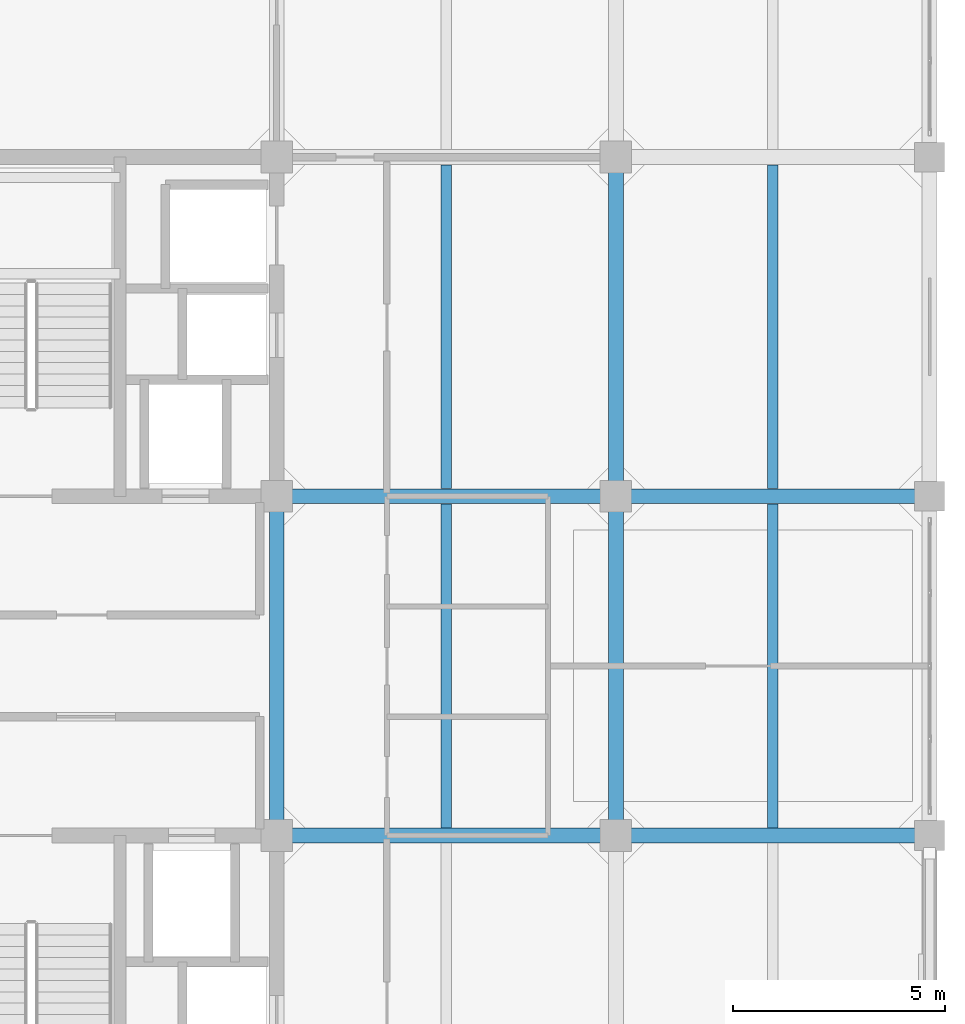
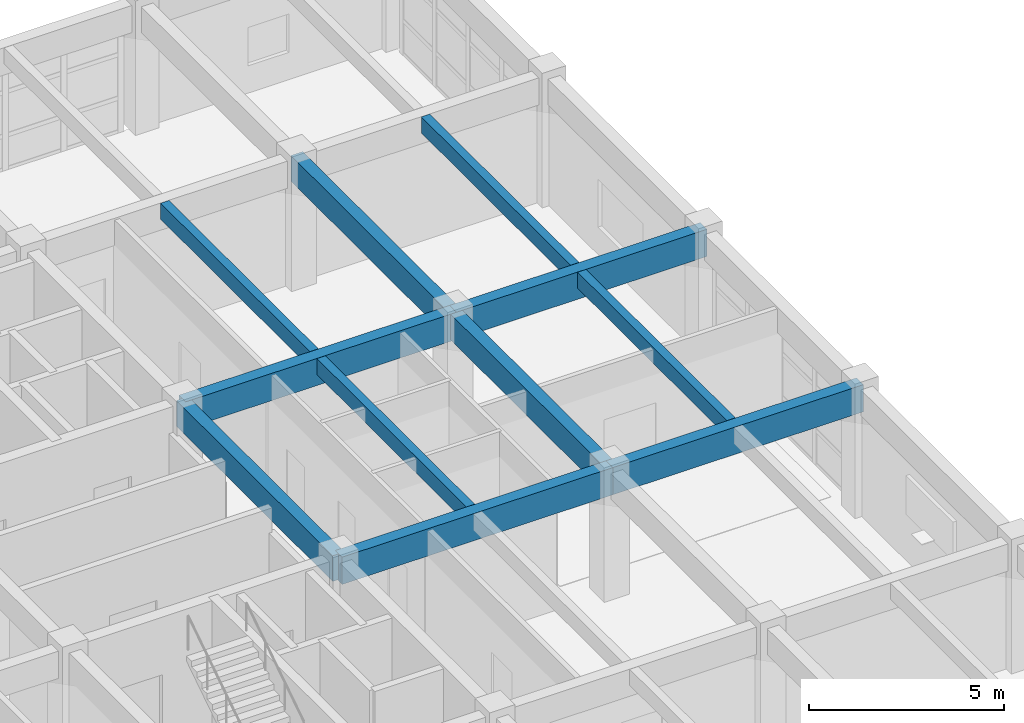
# One storey, part 8 of 25: 11 beams.
"""IFC4 building model written with IfcOpenShell, lengths in metres."""

import ifcopenshell
import ifcopenshell.guid

model = None  # the IFC model being written
_history = None  # IfcOwnerHistory: only IFC2X3 demands one
_inside = {}  # id of a spatial element -> (the spatial element, [elements in it])
_under = {}  # id of a project, library or spatial element -> (it, [spatial elements below it])
_declared = {}  # id of a project -> (the project, [libraries it declares])
_typed = {}  # id of a type object -> (the type object, [elements of that type])
_made_of = {}  # id of a material, layer set ... -> (it, [elements and type objects made of it])


def new_model(schema):
    """Start an empty IFC model of exactly this schema.

    Asked for "IFC4X3", IfcOpenShell would pick the latest addendum, in which some entities
    have other attributes; the version numbers below select the first issue.
    IFC2X3 requires an IfcOwnerHistory on every rooted entity: one is made here for all.
    """
    global model, _history
    if schema == "IFC4X3":
        model = ifcopenshell.file(schema_version=(4, 3, 0, 0))
    else:
        model = ifcopenshell.file(schema=schema)
    _inside.clear()
    _under.clear()
    _declared.clear()
    _typed.clear()
    _made_of.clear()
    _history = None
    if model.schema == "IFC2X3":
        org = make("IfcOrganization", Name="unknown")
        user = make(
            "IfcPersonAndOrganization",
            ThePerson=make("IfcPerson", FamilyName="unknown"),
            TheOrganization=org,
        )
        app = make(
            "IfcApplication",
            ApplicationDeveloper=org,
            Version="unknown",
            ApplicationFullName="unknown",
            ApplicationIdentifier="unknown",
        )
        _history = make(
            "IfcOwnerHistory",
            OwningUser=user,
            OwningApplication=app,
            ChangeAction="ADDED",
            CreationDate=0,
        )
    return model


def make(cls, **values):
    """One entity of the class cls with the attributes given. An attribute that is None is left unset."""
    return model.create_entity(
        cls, **{name: value for name, value in values.items() if value is not None}
    )


def rooted(cls, **values):
    """An entity with a GlobalId (a new one), such as an element, a storey or a relation."""
    return make(cls, GlobalId=ifcopenshell.guid.new(), OwnerHistory=_history, **values)


def si_unit(unit_type, name, prefix=None):
    """IfcSIUnit, for example si_unit("LENGTHUNIT", "METRE", prefix="MILLI")."""
    return make("IfcSIUnit", UnitType=unit_type, Prefix=prefix, Name=name)


def assignment(units):
    """IfcUnitAssignment: the units of a project."""
    return None if units is None else make("IfcUnitAssignment", Units=units)


def point(xyz):
    """IfcCartesianPoint."""
    return None if xyz is None else make("IfcCartesianPoint", Coordinates=xyz)


def direction(xyz):
    """IfcDirection."""
    return None if xyz is None else make("IfcDirection", DirectionRatios=xyz)


def frame(location, z_axis=None, x_axis=None):
    """IfcAxis2Placement3D, a coordinate frame: its origin and axes. An axis left out is left unset."""
    return make(
        "IfcAxis2Placement3D",
        Location=point(location),
        Axis=direction(z_axis),
        RefDirection=direction(x_axis),
    )


def frame_2d(location, x_axis=None):
    """IfcAxis2Placement2D, a coordinate frame in the plane: its origin and x axis."""
    return make(
        "IfcAxis2Placement2D", Location=point(location), RefDirection=direction(x_axis)
    )


def origin():
    """The frame at (0, 0, 0) with its axes left unset."""
    return frame((0.0, 0.0, 0.0))


def origin_2d():
    """The frame at (0, 0) in the plane with its x axis left unset."""
    return frame_2d((0.0, 0.0))


def place(relative_to, where):
    """IfcLocalPlacement: puts the frame where relative to a parent placement (None: the world)."""
    return make(
        "IfcLocalPlacement", PlacementRelTo=relative_to, RelativePlacement=where
    )


def context(
    kind, dimensions, precision=None, world=None, true_north=None, identifier=None
):
    """IfcGeometricRepresentationContext, for example the 3D "Model" context."""
    return make(
        "IfcGeometricRepresentationContext",
        ContextIdentifier=identifier,
        ContextType=kind,
        CoordinateSpaceDimension=dimensions,
        Precision=precision,
        WorldCoordinateSystem=world,
        TrueNorth=true_north,
    )


def subcontext(parent, identifier, kind, view, scale=None):
    """IfcGeometricRepresentationSubContext, for example "Body" below "Model"."""
    return make(
        "IfcGeometricRepresentationSubContext",
        ContextIdentifier=identifier,
        ContextType=kind,
        ParentContext=parent,
        TargetScale=scale,
        TargetView=view,
    )


def project(units=None, contexts=None):
    """IfcProject with its units and contexts."""
    return rooted(
        "IfcProject",
        Name="project",
        RepresentationContexts=contexts,
        UnitsInContext=assignment(units),
    )


def spatial(cls, under=None, at=None, **own):
    """A site, building, storey or space (cls), placed at a placement, below another one or the project."""
    s = rooted(cls, ObjectPlacement=at, **own)
    if under is not None:
        _under.setdefault(under.id(), (under, []))[1].append(s)
    return s


def profile(cls, at=None, kind="AREA", **sizes):
    """A parametric profile (cls). Its sizes go by their IFC names, for example OverallWidth=200.0."""
    return make(cls, ProfileType=kind, Position=at, **sizes)


def rectangle(**sizes):
    """IfcRectangleProfileDef."""
    return profile("IfcRectangleProfileDef", **sizes)


def extrude(swept, where, along, depth):
    """IfcExtrudedAreaSolid: the profile swept, set in the frame where, extruded along a direction by depth."""
    return make(
        "IfcExtrudedAreaSolid",
        SweptArea=swept,
        Position=where,
        ExtrudedDirection=direction(along),
        Depth=depth,
    )


def shape(context_of_items, identifier, shape_type, items):
    """IfcShapeRepresentation: the items that make up one representation, for example the "Body"."""
    return make(
        "IfcShapeRepresentation",
        ContextOfItems=context_of_items,
        RepresentationIdentifier=identifier,
        RepresentationType=shape_type,
        Items=items,
    )


def material(Name=None, Category=None):
    """IfcMaterial."""
    return make("IfcMaterial", Name=Name, Category=Category)


def material_profile(
    of_material, cross_section, Name=None, Category=None, Priority=None
):
    """IfcMaterialProfile: a cross section and its material."""
    return make(
        "IfcMaterialProfile",
        Name=Name,
        Material=of_material,
        Profile=cross_section,
        Priority=Priority,
        Category=Category,
    )


def profile_set(profiles, Name=None, composite=None):
    """IfcMaterialProfileSet."""
    return make(
        "IfcMaterialProfileSet",
        Name=Name,
        MaterialProfiles=profiles,
        CompositeProfile=composite,
    )


def made_of(thing, what):
    """Note that an element or type object is made of a material, layer set ...; save() writes the relation."""
    if what is not None:
        _made_of.setdefault(what.id(), (what, []))[1].append(thing)
    return thing


def type_object(cls, material=None, **own):
    """A type object (cls), such as IfcWallType, which elements share."""
    return made_of(rooted(cls, **own), material)


def element(
    cls,
    number,
    at=None,
    inside=None,
    cuts=None,
    type_object=None,
    material=None,
    context=None,
    identifier="Body",
    shape_type=None,
    held_by="IfcProductDefinitionShape",
    body=None,
    shapes=None,
    **own,
):
    """One element of the class cls, such as IfcWall. Its Tag is "e" and its number.

    at: its placement. inside: the storey or other place that contains it. cuts: it is an
    opening in that element (IfcRelVoidsElement). A single representation is given by context,
    identifier, shape_type and body (its items); several are given by shapes. held_by: the class
    of the entity that holds the representations. save() writes the other relations.
    """
    e = rooted(cls, Tag="e%d" % number, ObjectPlacement=at, **own)
    if body is not None:
        shapes = [shape(context, identifier, shape_type, body)]
    if shapes is not None:
        e.Representation = make(held_by, Representations=shapes)
    if inside is not None:
        _inside.setdefault(inside.id(), (inside, []))[1].append(e)
    if cuts is not None:
        rooted(
            "IfcRelVoidsElement", RelatingBuildingElement=cuts, RelatedOpeningElement=e
        )
    if type_object is not None:
        _typed.setdefault(type_object.id(), (type_object, []))[1].append(e)
    return made_of(e, material)


def aggregate(whole, parts):
    """IfcRelAggregates: a whole, such as a stair, and the parts it consists of."""
    return rooted("IfcRelAggregates", RelatingObject=whole, RelatedObjects=parts)


def save(model, path):
    """Write the relations noted so far, then the file.

    IfcRelAggregates (storeys below a building ...), IfcRelContainedInSpatialStructure (elements
    in a storey), IfcRelDefinesByType, IfcRelAssociatesMaterial and IfcRelDeclares: one each for
    every whole, place, type object, material and project.
    """
    for whole, parts in _under.values():
        aggregate(whole, parts)
    for where, things in _inside.values():
        rooted(
            "IfcRelContainedInSpatialStructure",
            RelatedElements=things,
            RelatingStructure=where,
        )
    for kind, things in _typed.values():
        rooted("IfcRelDefinesByType", RelatedObjects=things, RelatingType=kind)
    for what, things in _made_of.values():
        rooted("IfcRelAssociatesMaterial", RelatedObjects=things, RelatingMaterial=what)
    for by, libraries in _declared.values():
        rooted("IfcRelDeclares", RelatingContext=by, RelatedDefinitions=libraries)
    model.write(path)


model = new_model("IFC4")

# Units and contexts
model_context = context("Model", 3, precision=1e-05, world=origin(), true_north=direction((0.0, 1.0)))
body_context = subcontext(model_context, "Body", "Model", "MODEL_VIEW")
ifc_project = project(units=[si_unit("LENGTHUNIT", "METRE"), si_unit("AREAUNIT", "SQUARE_METRE"), si_unit("VOLUMEUNIT", "CUBIC_METRE"), si_unit("PLANEANGLEUNIT", "RADIAN"), si_unit("MASSUNIT", "GRAM", prefix="KILO")], contexts=[model_context])

# Site, building, storey
site_placement = place(None, origin())
site = spatial("IfcSite", under=ifc_project, at=site_placement, CompositionType="ELEMENT")
building_placement = place(site_placement, origin())
building = spatial("IfcBuilding", under=site, at=building_placement, Name="Canggui Botanical Conservatory", CompositionType="ELEMENT")
storey_placement = place(building_placement, frame((0.0, 0.0, 40.199951171875)))
storey = spatial("IfcBuildingStorey", under=building, at=storey_placement, Name="L10", CompositionType="ELEMENT", Elevation=40.199951171875)

# Beams
ifc_material = material(Name="Concrete C35", Category="concrete")
ifc_material_profile_1 = material_profile(ifc_material, rectangle(XDim=0.25, YDim=0.5, at=origin_2d()), Name="RB 250x500")
ifc_profile_set_1 = profile_set([ifc_material_profile_1], Name="Concrete C35")
beam_type_1 = type_object("IfcBeamType", Name="BM-JST04", PredefinedType="JOIST", material=ifc_profile_set_1)
for number, where, z_axis, x_axis, name in (
    (1, (166.0, 50.179931640625, 3.7099609375), (0.0, 1.0, 0.0), (-1.0, 0.0, 0.0), "Secondary Floor Joist L10-3-3"),
    (2, (166.0, 58.179931640625, 3.7099609375), (0.0, 1.0, 0.0), (-1.0, 0.0, 0.0), "Secondary Floor Joist L10-3-4"),
    (3, (173.699951171875, 50.179931640625, 3.7099609375), (0.0, 1.0, 0.0), (-1.0, 0.0, 0.0), "Secondary Floor Joist L10-4-3"),
    (4, (173.699951171875, 58.179931640625, 3.7099609375), (0.0, 1.0, 0.0), (-1.0, 0.0, 0.0), "Secondary Floor Joist L10-4-4"),
):
    element("IfcBeam", number, at=place(storey_placement, frame(where, z_axis=z_axis, x_axis=x_axis)), inside=storey, type_object=beam_type_1, Name=name, PredefinedType="JOIST", context=body_context, shape_type="SweptSolid", body=[
        extrude(rectangle(XDim=0.25, YDim=0.5, at=origin_2d()), origin(), (0.0, 0.0, 1.0), 7.64013671875),
    ])
ifc_material_profile_2 = material_profile(ifc_material, rectangle(XDim=0.35009765625, YDim=0.85009765625, at=origin_2d()), Name="RB 350x850")
ifc_profile_set_2 = profile_set([ifc_material_profile_2], Name="Concrete C35")
beam_type_2 = type_object("IfcBeamType", Name="BM-KL14", PredefinedType="BEAM", material=ifc_profile_set_2)
beam_1_placement = place(storey_placement, frame((162.0, 50.0, 3.53515625), z_axis=(1.0, 0.0, 0.0), x_axis=(0.0, 1.0, 0.0)))
element("IfcBeam", 5, at=beam_1_placement, inside=storey, type_object=beam_type_2, Name="Frame Girder L10 Y50-3", PredefinedType="BEAM", context=body_context, shape_type="SweptSolid", body=[
    extrude(rectangle(XDim=0.35009765625, YDim=0.85009765625, at=origin_2d()), origin(), (0.0, 0.0, 1.0), 8.0),
])
beam_2_placement = place(storey_placement, frame((170.0, 50.0, 3.53515625), z_axis=(1.0, 0.0, 0.0), x_axis=(0.0, 1.0, 0.0)))
element("IfcBeam", 6, at=beam_2_placement, inside=storey, type_object=beam_type_2, Name="Frame Girder L10 Y50-4", PredefinedType="BEAM", context=body_context, shape_type="SweptSolid", body=[
    extrude(rectangle(XDim=0.35009765625, YDim=0.85009765625, at=origin_2d()), origin(), (0.0, 0.0, 1.0), 7.39990234375),
])
beam_3_placement = place(storey_placement, frame((162.0, 58.0, 3.53515625), z_axis=(1.0, 0.0, 0.0), x_axis=(0.0, 1.0, 0.0)))
element("IfcBeam", 7, at=beam_3_placement, inside=storey, type_object=beam_type_2, Name="Frame Girder L10 Y58-3", PredefinedType="BEAM", context=body_context, shape_type="SweptSolid", body=[
    extrude(rectangle(XDim=0.35009765625, YDim=0.85009765625, at=origin_2d()), origin(), (0.0, 0.0, 1.0), 8.0),
])
beam_4_placement = place(storey_placement, frame((170.0, 58.0, 3.53515625), z_axis=(1.0, 0.0, 0.0), x_axis=(0.0, 1.0, 0.0)))
element("IfcBeam", 8, at=beam_4_placement, inside=storey, type_object=beam_type_2, Name="Frame Girder L10 Y58-4", PredefinedType="BEAM", context=body_context, shape_type="SweptSolid", body=[
    extrude(rectangle(XDim=0.35009765625, YDim=0.85009765625, at=origin_2d()), origin(), (0.0, 0.0, 1.0), 7.39990234375),
])
ifc_material_profile_3 = material_profile(ifc_material, rectangle(XDim=0.35009765625, YDim=0.800048828125, at=origin_2d()), Name="RB 350x800")
ifc_profile_set_3 = profile_set([ifc_material_profile_3], Name="Concrete C35")
beam_type_3 = type_object("IfcBeamType", Name="BM-KL15", PredefinedType="BEAM", material=ifc_profile_set_3)
for number, where, z_axis, x_axis, name in (
    (9, (162.0, 50.0, 3.56005859375), (0.0, 1.0, 0.0), (-1.0, 0.0, 0.0), "Frame Girder L10 X162-3"),
    (10, (170.0, 50.0, 3.56005859375), (0.0, 1.0, 0.0), (-1.0, 0.0, 0.0), "Frame Girder L10 X170-3"),
    (11, (170.0, 58.0, 3.56005859375), (0.0, 1.0, 0.0), (-1.0, 0.0, 0.0), "Frame Girder L10 X170-4"),
):
    element("IfcBeam", number, at=place(storey_placement, frame(where, z_axis=z_axis, x_axis=x_axis)), inside=storey, type_object=beam_type_3, Name=name, PredefinedType="BEAM", context=body_context, shape_type="SweptSolid", body=[
        extrude(rectangle(XDim=0.35009765625, YDim=0.800048828125, at=origin_2d()), origin(), (0.0, 0.0, 1.0), 8.0),
    ])

save(model, "model.ifc")
